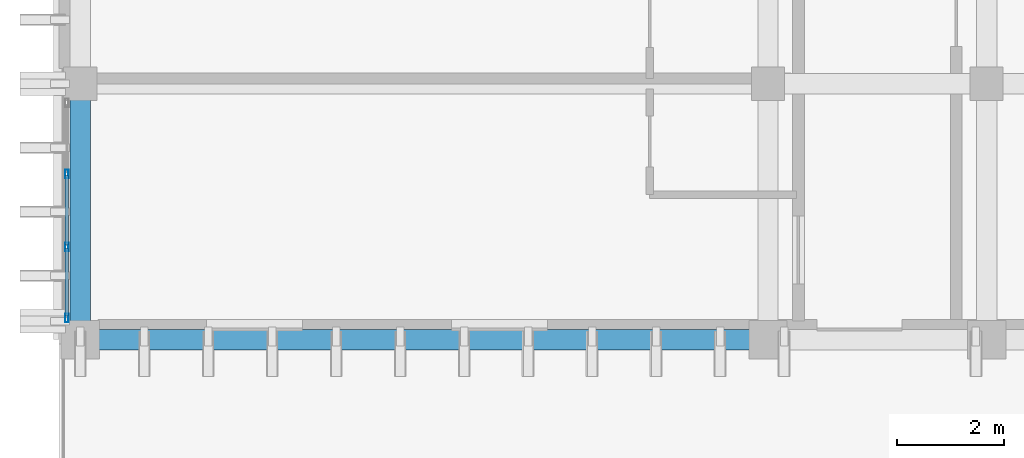
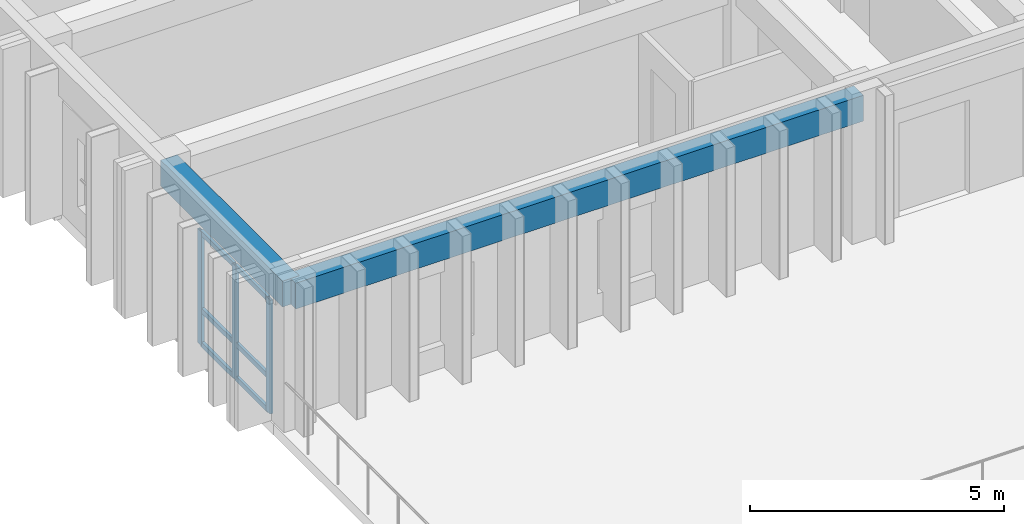
# One storey, part 2 of 59: 9 members, 2 beams, 1 element without a shape of its own.
"""IFC4 building model written with IfcOpenShell, lengths in metres."""

from ifc_helpers import new_model, si_unit, direction, frame, origin, origin_2d, place, context, subcontext, project, spatial, rectangle, hollow_rectangle, extrude, material, layer, layer_set, material_profile, profile_set, type_object, element, aggregate, save


model = new_model("IFC4")

# Units and contexts
model_context = context("Model", 3, precision=1e-05, world=origin(), true_north=direction((0.0, 1.0)))
body_context = subcontext(model_context, "Body", "Model", "MODEL_VIEW")
ifc_project = project(units=[si_unit("LENGTHUNIT", "METRE"), si_unit("AREAUNIT", "SQUARE_METRE"), si_unit("VOLUMEUNIT", "CUBIC_METRE"), si_unit("PLANEANGLEUNIT", "RADIAN"), si_unit("MASSUNIT", "GRAM", prefix="KILO")], contexts=[model_context])

# Site, building, storey
site_placement = place(None, origin())
site = spatial("IfcSite", under=ifc_project, at=site_placement, CompositionType="ELEMENT")
building_placement = place(site_placement, origin())
building = spatial("IfcBuilding", under=site, at=building_placement, Name="Nakhvara Creek Congress Hotel", CompositionType="ELEMENT")
storey_placement = place(building_placement, frame((0.0, 0.0, 31.800048828125)))
storey = spatial("IfcBuildingStorey", under=building, at=storey_placement, Name="L07", CompositionType="ELEMENT", Elevation=31.800048828125)

# Beams
ifc_material_1 = material(Name="Concrete C40/50", Category="concrete")
ifc_material_profile_1 = material_profile(ifc_material_1, rectangle(XDim=0.3798828125, YDim=0.6201171875, at=origin_2d()), Name="RC-BM 380x620", Category="LoadBearing")
ifc_profile_set_1 = profile_set([ifc_material_profile_1], Name="Concrete C40/50")
beam_type = type_object("IfcBeamType", Name="BM-RC-380X620", PredefinedType="BEAM", material=ifc_profile_set_1)
beam_1_placement = place(storey_placement, frame((149.449951171875, 48.0, 3.050048828125), z_axis=(1.0, 0.0, 0.0), x_axis=(0.0, 1.0, 0.0)))
element("IfcBeam", 1, at=beam_1_placement, inside=storey, type_object=beam_type, Name="Beam B10-L07-2318", PredefinedType="BEAM", context=body_context, shape_type="SweptSolid", body=[
    extrude(rectangle(XDim=0.3798828125, YDim=0.6201171875, at=origin_2d()), origin(), (0.0, 0.0, 1.0), 12.900146484375),
])
beam_2_placement = place(storey_placement, frame((149.449951171875, 48.0, 3.050048828125), z_axis=(0.0, 1.0, 0.0), x_axis=(-1.0, 0.0, 0.0)))
element("IfcBeam", 2, at=beam_2_placement, inside=storey, type_object=beam_type, Name="Beam B10-L07-2319", PredefinedType="BEAM", context=body_context, shape_type="SweptSolid", body=[
    extrude(rectangle(XDim=0.3798828125, YDim=0.6201171875, at=origin_2d()), origin(), (0.0, 0.0, 1.0), 4.800048828125),
])

# Curtain wall, members
ifc_material_2 = material(Name="Bronze-anodised aluminium AW-6063-T6 and double-silver low-E glass", Category="aluminium")
ifc_layer = layer(ifc_material_2, 0.199951171875)
ifc_layer_set = layer_set([ifc_layer], Name="Bronze-anodised aluminium AW-6063-T6 and double-silver low-E glass")
curtain_wall_type = type_object("IfcCurtainWallType", Name="CW-HTL-UNIT", PredefinedType="USERDEFINED", material=ifc_layer_set)
curtain_wall_placement = place(storey_placement, origin())
curtain_wall = element("IfcCurtainWall", 3, at=curtain_wall_placement, inside=storey, type_object=curtain_wall_type, Name="Curtain Wall CW254", ObjectType="UNITISED", PredefinedType="USERDEFINED")
ifc_material_3 = material(Name="Bronze-anodised aluminium AW-6063-T6", Category="aluminium")
ifc_material_profile_2 = material_profile(ifc_material_3, hollow_rectangle(XDim=0.06494140625, YDim=0.159912109375, WallThickness=0.00390625, at=origin_2d()), Name="ALU-MULL 65x160x4", Category="LoadBearing")
ifc_profile_set_2 = profile_set([ifc_material_profile_2], Name="Bronze-anodised aluminium AW-6063-T6")
member_type_1 = type_object("IfcMemberType", Name="CW-MULL-160", PredefinedType="MULLION", material=ifc_profile_set_2)
member_1_placement = place(storey_placement, frame((149.199951171875, 48.407470703125, 0.0), z_axis=(0.0, 0.0, 1.0), x_axis=(-1.0, 0.0, 0.0)))
member_1 = element("IfcMember", 4, at=member_1_placement, type_object=member_type_1, Name="CW254 mullion 1", PredefinedType="MULLION", context=body_context, shape_type="SweptSolid", body=[
    extrude(hollow_rectangle(XDim=0.06494140625, YDim=0.159912109375, WallThickness=0.00390625, at=origin_2d()), origin(), (0.0, 0.0, 1.0), 2.73193359375),
])
member_2_placement = place(storey_placement, frame((149.199951171875, 49.74169921875, 0.0), z_axis=(0.0, 0.0, 1.0), x_axis=(-1.0, 0.0, 0.0)))
member_2 = element("IfcMember", 5, at=member_2_placement, type_object=member_type_1, Name="CW254 mullion 2", PredefinedType="MULLION", context=body_context, shape_type="SweptSolid", body=[
    extrude(hollow_rectangle(XDim=0.06494140625, YDim=0.159912109375, WallThickness=0.00390625, at=origin_2d()), origin(), (0.0, 0.0, 1.0), 2.73193359375),
])
member_3_placement = place(storey_placement, frame((149.199951171875, 51.1083984375, 0.0), z_axis=(0.0, 0.0, 1.0), x_axis=(-1.0, 0.0, 0.0)))
member_3 = element("IfcMember", 6, at=member_3_placement, type_object=member_type_1, Name="CW254 mullion 3", PredefinedType="MULLION", context=body_context, shape_type="SweptSolid", body=[
    extrude(hollow_rectangle(XDim=0.06494140625, YDim=0.159912109375, WallThickness=0.00390625, at=origin_2d()), origin(), (0.0, 0.0, 1.0), 2.73193359375),
])
ifc_material_profile_3 = material_profile(ifc_material_3, hollow_rectangle(XDim=0.06494140625, YDim=0.1201171875, WallThickness=0.00390625, at=origin_2d()), Name="ALU-TRAN 65x120x4", Category="LoadBearing")
ifc_profile_set_3 = profile_set([ifc_material_profile_3], Name="Bronze-anodised aluminium AW-6063-T6")
member_type_2 = type_object("IfcMemberType", Name="CW-TRAN-120", PredefinedType="USERDEFINED", material=ifc_profile_set_3)
member_4_placement = place(storey_placement, frame((149.199951171875, 48.43994140625, 0.032470703125), z_axis=(0.0, 1.0, 0.0), x_axis=(-1.0, 0.0, 0.0)))
member_4 = element("IfcMember", 7, at=member_4_placement, type_object=member_type_2, Name="CW254 transom 1.1", ObjectType="TRANSOM", PredefinedType="USERDEFINED", context=body_context, shape_type="SweptSolid", body=[
    extrude(hollow_rectangle(XDim=0.06494140625, YDim=0.1201171875, WallThickness=0.00390625, at=origin_2d()), origin(), (0.0, 0.0, 1.0), 1.269287109375),
])
member_5_placement = place(storey_placement, frame((149.199951171875, 48.43994140625, 0.849853515625), z_axis=(0.0, 1.0, 0.0), x_axis=(-1.0, 0.0, 0.0)))
member_5 = element("IfcMember", 8, at=member_5_placement, type_object=member_type_2, Name="CW254 transom 1.2", ObjectType="TRANSOM", PredefinedType="USERDEFINED", context=body_context, shape_type="SweptSolid", body=[
    extrude(hollow_rectangle(XDim=0.06494140625, YDim=0.1201171875, WallThickness=0.00390625, at=origin_2d()), origin(), (0.0, 0.0, 1.0), 1.269287109375),
])
member_6_placement = place(storey_placement, frame((149.199951171875, 48.43994140625, 2.699462890625), z_axis=(0.0, 1.0, 0.0), x_axis=(-1.0, 0.0, 0.0)))
member_6 = element("IfcMember", 9, at=member_6_placement, type_object=member_type_2, Name="CW254 transom 1.3", ObjectType="TRANSOM", PredefinedType="USERDEFINED", context=body_context, shape_type="SweptSolid", body=[
    extrude(hollow_rectangle(XDim=0.06494140625, YDim=0.1201171875, WallThickness=0.00390625, at=origin_2d()), origin(), (0.0, 0.0, 1.0), 1.269287109375),
])
member_7_placement = place(storey_placement, frame((149.199951171875, 49.774169921875, 0.032470703125), z_axis=(0.0, 1.0, 0.0), x_axis=(-1.0, 0.0, 0.0)))
member_7 = element("IfcMember", 10, at=member_7_placement, type_object=member_type_2, Name="CW254 transom 2.1", ObjectType="TRANSOM", PredefinedType="USERDEFINED", context=body_context, shape_type="SweptSolid", body=[
    extrude(hollow_rectangle(XDim=0.06494140625, YDim=0.1201171875, WallThickness=0.00390625, at=origin_2d()), origin(), (0.0, 0.0, 1.0), 1.3017578125),
])
member_8_placement = place(storey_placement, frame((149.199951171875, 49.774169921875, 0.849853515625), z_axis=(0.0, 1.0, 0.0), x_axis=(-1.0, 0.0, 0.0)))
member_8 = element("IfcMember", 11, at=member_8_placement, type_object=member_type_2, Name="CW254 transom 2.2", ObjectType="TRANSOM", PredefinedType="USERDEFINED", context=body_context, shape_type="SweptSolid", body=[
    extrude(hollow_rectangle(XDim=0.06494140625, YDim=0.1201171875, WallThickness=0.00390625, at=origin_2d()), origin(), (0.0, 0.0, 1.0), 1.3017578125),
])
member_9_placement = place(storey_placement, frame((149.199951171875, 49.774169921875, 2.699462890625), z_axis=(0.0, 1.0, 0.0), x_axis=(-1.0, 0.0, 0.0)))
member_9 = element("IfcMember", 12, at=member_9_placement, type_object=member_type_2, Name="CW254 transom 2.3", ObjectType="TRANSOM", PredefinedType="USERDEFINED", context=body_context, shape_type="SweptSolid", body=[
    extrude(hollow_rectangle(XDim=0.06494140625, YDim=0.1201171875, WallThickness=0.00390625, at=origin_2d()), origin(), (0.0, 0.0, 1.0), 1.3017578125),
])
aggregate(curtain_wall, [member_1, member_2, member_3, member_4, member_5, member_6, member_7, member_8, member_9])

save(model, "model.ifc")
